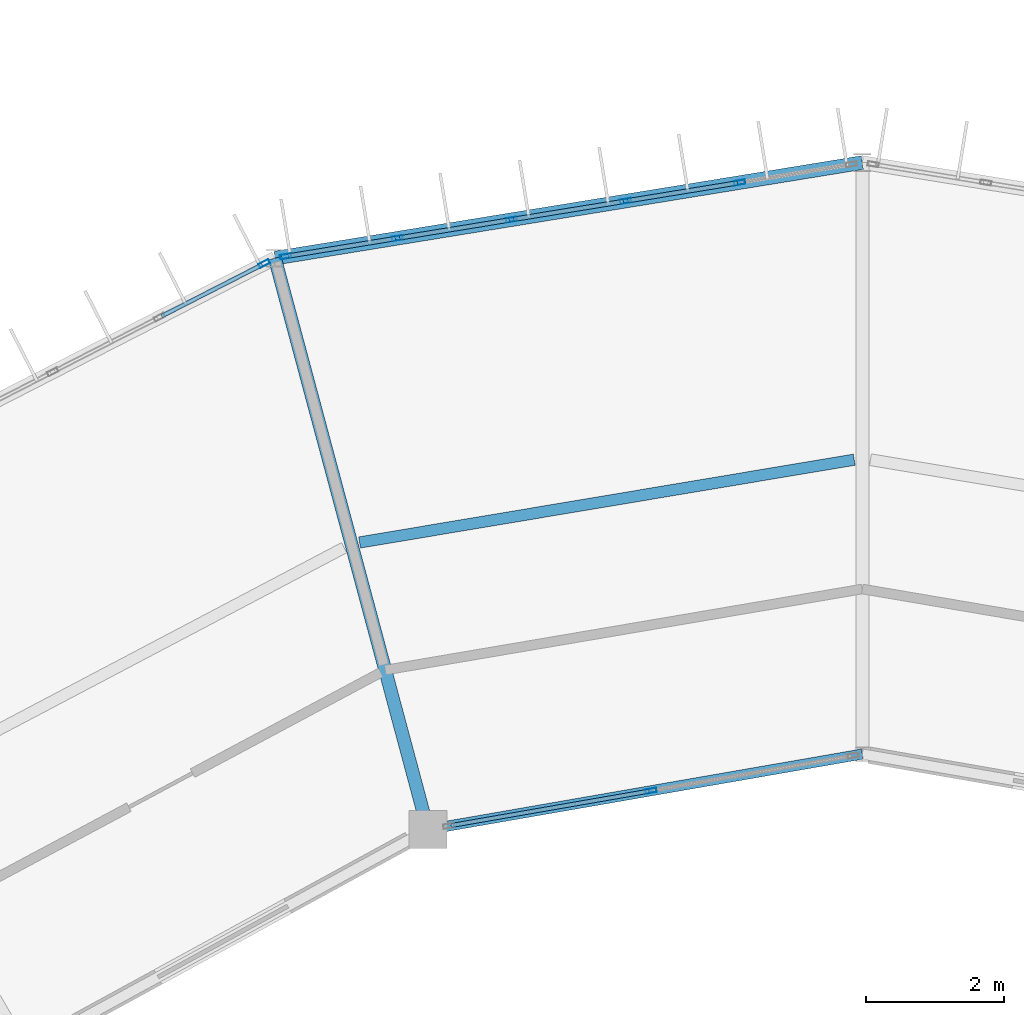
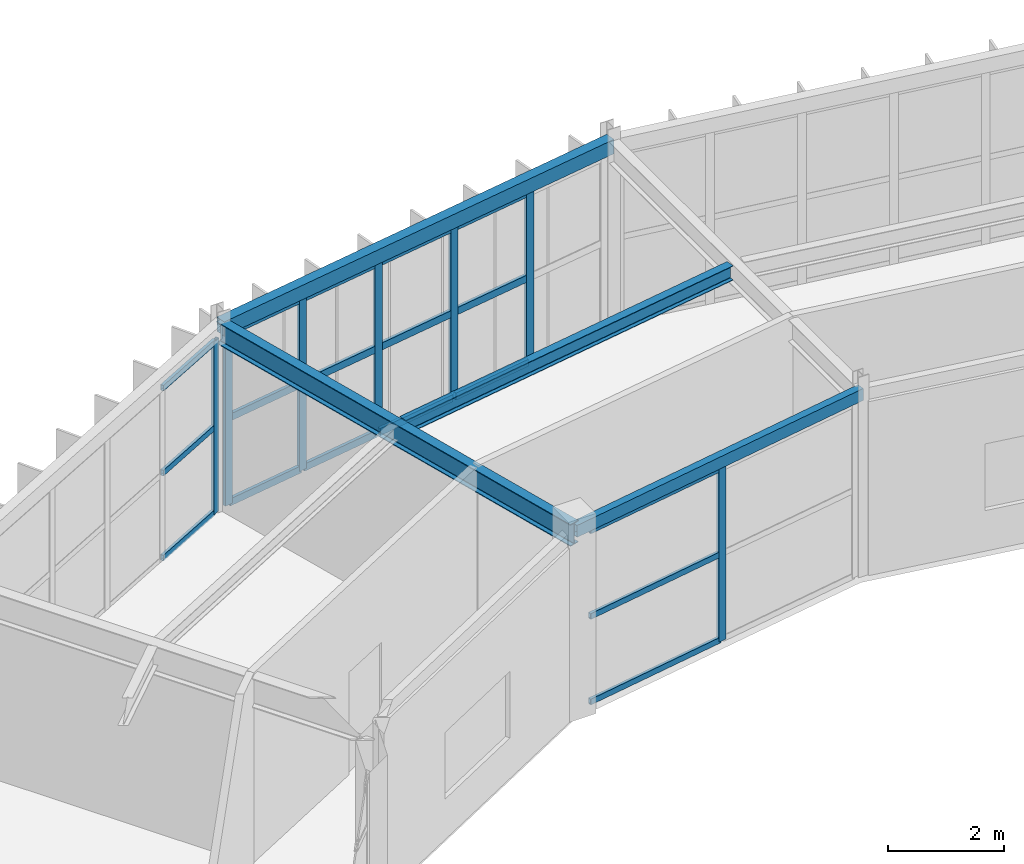
# One storey, part 91 of 157: 25 members, 4 beams, 3 elements without a shape of their own.
"""IFC4 building model written with IfcOpenShell, lengths in metres."""

from ifc_helpers import new_model, si_unit, direction, frame, origin, origin_2d, place, context, subcontext, project, spatial, hollow_rectangle, i_section, extrude, material, material_profile, profile_set, type_object, element, aggregate, save


model = new_model("IFC4")

# Units and contexts
model_context = context("Model", 3, precision=1e-05, world=origin(), true_north=direction((0.0, 1.0)))
body_context = subcontext(model_context, "Body", "Model", "MODEL_VIEW")
ifc_project = project(units=[si_unit("LENGTHUNIT", "METRE"), si_unit("AREAUNIT", "SQUARE_METRE"), si_unit("VOLUMEUNIT", "CUBIC_METRE"), si_unit("PLANEANGLEUNIT", "RADIAN"), si_unit("MASSUNIT", "GRAM", prefix="KILO")], contexts=[model_context])

# Site, building, storey
site_placement = place(None, origin())
site = spatial("IfcSite", under=ifc_project, at=site_placement, CompositionType="ELEMENT")
building_placement = place(site_placement, origin())
building = spatial("IfcBuilding", under=site, at=building_placement, Name="Karori Crest Natural Sciences Institute", CompositionType="ELEMENT")
storey_placement = place(building_placement, frame((0.0, 0.0, 13.300048828125)))
storey = spatial("IfcBuildingStorey", under=building, at=storey_placement, Name="L03", CompositionType="ELEMENT", Elevation=13.300048828125)

# Beams
ifc_material_1 = material(Name="Structural steel AS/NZS 3679.1 Grade 350", Category="steel")
ifc_material_profile_1 = material_profile(ifc_material_1, i_section(OverallWidth=0.19091796875, OverallDepth=0.4599609375, WebThickness=0.010009765625, FlangeThickness=0.01611328125, FilletRadius=0.010986328125, at=origin_2d()), Name="460UB82.1")
ifc_profile_set_1 = profile_set([ifc_material_profile_1], Name="Structural steel AS/NZS 3679.1 Grade 350")
beam_type_1 = type_object("IfcBeamType", Name="BT-06", PredefinedType="BEAM", material=ifc_profile_set_1)
beam_1_placement = place(storey_placement, frame((60.084716796875, 81.002685546875, 3.7099609375), z_axis=(-0.258812709002, 0.96592752402, 0.0), x_axis=(-0.96592752402, -0.258812709002, 0.0)))
element("IfcBeam", 1, at=beam_1_placement, inside=storey, type_object=beam_type_1, Name="Beam B-0389", PredefinedType="BEAM", context=body_context, shape_type="SweptSolid", body=[
    extrude(i_section(OverallWidth=0.19091796875, OverallDepth=0.4599609375, WebThickness=0.010009765625, FlangeThickness=0.01611328125, FilletRadius=0.010986328125, at=origin_2d()), origin(), (0.0, 0.0, 1.0), 8.60009765625),
])
ifc_material_profile_2 = material_profile(ifc_material_1, i_section(OverallWidth=0.1650390625, OverallDepth=0.303955078125, WebThickness=0.006103515625, FlangeThickness=0.01025390625, FilletRadius=0.010986328125, at=origin_2d()), Name="310UB40.4")
ifc_profile_set_2 = profile_set([ifc_material_profile_2], Name="Structural steel AS/NZS 3679.1 Grade 350")
beam_type_2 = type_object("IfcBeamType", Name="BT-10", PredefinedType="BEAM", material=ifc_profile_set_2)
beam_2_placement = place(storey_placement, frame((66.281494140625, 86.380126953125, 3.787841796875), z_axis=(-0.98626966223, -0.165142827164, 0.0), x_axis=(0.165142827164, -0.98626966223, 0.0)))
element("IfcBeam", 2, at=beam_2_placement, inside=storey, type_object=beam_type_2, Name="Beam B-0386", PredefinedType="BEAM", context=body_context, shape_type="SweptSolid", body=[
    extrude(i_section(OverallWidth=0.1650390625, OverallDepth=0.303955078125, WebThickness=0.006103515625, FlangeThickness=0.01025390625, FilletRadius=0.010986328125, at=origin_2d()), origin(), (0.0, 0.0, 1.0), 7.291259765625),
])
ifc_material_2 = material(Name="Hollow structural steel AS/NZS 1163 Grade C350", Category="steel")
ifc_material_profile_3 = material_profile(ifc_material_2, hollow_rectangle(XDim=0.199951171875, YDim=0.300048828125, WallThickness=0.010009765625, at=origin_2d()), Name="RHS300x200x10")
ifc_profile_set_3 = profile_set([ifc_material_profile_3], Name="Hollow structural steel AS/NZS 1163 Grade C350")
beam_type_3 = type_object("IfcBeamType", Name="BT-15", PredefinedType="SPANDREL", material=ifc_profile_set_3)
beam_3_placement = place(storey_placement, frame((66.39990234375, 90.699951171875, 3.7900390625), z_axis=(-0.987012055933, -0.160646199591, 0.0), x_axis=(0.160646199591, -0.987012055933, 0.0)))
element("IfcBeam", 3, at=beam_3_placement, inside=storey, type_object=beam_type_3, Name="Beam B-0383", PredefinedType="SPANDREL", context=body_context, shape_type="SweptSolid", body=[
    extrude(hollow_rectangle(XDim=0.199951171875, YDim=0.300048828125, WallThickness=0.010009765625, at=origin_2d()), origin(), (0.0, 0.0, 1.0), 8.6533203125),
])
ifc_material_profile_4 = material_profile(ifc_material_2, hollow_rectangle(XDim=0.14990234375, YDim=0.25, WallThickness=0.009033203125, at=origin_2d()), Name="RHS250x150x9")
ifc_profile_set_4 = profile_set([ifc_material_profile_4], Name="Hollow structural steel AS/NZS 1163 Grade C350")
beam_type_4 = type_object("IfcBeamType", Name="BT-16", PredefinedType="SPANDREL", material=ifc_profile_set_4)
beam_4_placement = place(storey_placement, frame((66.39990234375, 82.10009765625, 3.7900390625), z_axis=(-0.985234948316, -0.171207758638, 0.0), x_axis=(0.171207758638, -0.985234948316, 0.0)))
element("IfcBeam", 4, at=beam_4_placement, inside=storey, type_object=beam_type_4, Name="Beam B-0384", PredefinedType="SPANDREL", context=body_context, shape_type="SweptSolid", body=[
    extrude(hollow_rectangle(XDim=0.14990234375, YDim=0.25, WallThickness=0.009033203125, at=origin_2d()), origin(), (0.0, 0.0, 1.0), 6.409912109375),
])

# Curtain wall, members
ifc_material_3 = material(Name="Anodised architectural aluminium 6063-T6", Category="aluminium")
curtain_wall_type_1 = type_object("IfcCurtainWallType", Name="CWT-07", PredefinedType="NOTDEFINED", material=ifc_material_3)
curtain_wall_1_placement = place(storey_placement, origin())
curtain_wall_1 = element("IfcCurtainWall", 5, at=curtain_wall_1_placement, inside=storey, type_object=curtain_wall_type_1, Name="Curtain wall CW-0109", PredefinedType="NOTDEFINED")
ifc_material_profile_5 = material_profile(ifc_material_3, hollow_rectangle(XDim=0.06494140625, YDim=0.159912109375, WallThickness=0.00390625, at=origin_2d()), Name="CWM160x65x4")
ifc_profile_set_5 = profile_set([ifc_material_profile_5], Name="Anodised architectural aluminium 6063-T6")
member_type_1 = type_object("IfcMemberType", Name="CWM-01", PredefinedType="MULLION", material=ifc_profile_set_5)
member_1_placement = place(storey_placement, frame((58.01611328125, 89.33544921875, 0.0), z_axis=(0.0, 0.0, 1.0), x_axis=(-0.160650246484, 0.987011397252, 0.0)))
member_1 = element("IfcMember", 6, at=member_1_placement, type_object=member_type_1, Name="CW-0109 mullion 1", PredefinedType="MULLION", context=body_context, shape_type="SweptSolid", body=[
    extrude(hollow_rectangle(XDim=0.06494140625, YDim=0.159912109375, WallThickness=0.00390625, at=origin_2d()), origin(), (0.0, 0.0, 1.0), 3.625),
])
member_2_placement = place(storey_placement, frame((59.64208984375, 89.60009765625, 0.0), z_axis=(0.0, 0.0, 1.0), x_axis=(-0.160650246484, 0.987011397252, 0.0)))
member_2 = element("IfcMember", 7, at=member_2_placement, type_object=member_type_1, Name="CW-0109 mullion 2", PredefinedType="MULLION", context=body_context, shape_type="SweptSolid", body=[
    extrude(hollow_rectangle(XDim=0.06494140625, YDim=0.159912109375, WallThickness=0.00390625, at=origin_2d()), origin(), (0.0, 0.0, 1.0), 3.625),
])
member_3_placement = place(storey_placement, frame((61.300048828125, 89.869873046875, 0.0), z_axis=(0.0, 0.0, 1.0), x_axis=(-0.160650246484, 0.987011397252, 0.0)))
member_3 = element("IfcMember", 8, at=member_3_placement, type_object=member_type_1, Name="CW-0109 mullion 3", PredefinedType="MULLION", context=body_context, shape_type="SweptSolid", body=[
    extrude(hollow_rectangle(XDim=0.06494140625, YDim=0.159912109375, WallThickness=0.00390625, at=origin_2d()), origin(), (0.0, 0.0, 1.0), 3.625),
])
member_4_placement = place(storey_placement, frame((62.9580078125, 90.139892578125, 0.0), z_axis=(0.0, 0.0, 1.0), x_axis=(-0.160650246484, 0.987011397252, 0.0)))
member_4 = element("IfcMember", 9, at=member_4_placement, type_object=member_type_1, Name="CW-0109 mullion 4", PredefinedType="MULLION", context=body_context, shape_type="SweptSolid", body=[
    extrude(hollow_rectangle(XDim=0.06494140625, YDim=0.159912109375, WallThickness=0.00390625, at=origin_2d()), origin(), (0.0, 0.0, 1.0), 3.625),
])
member_5_placement = place(storey_placement, frame((64.615966796875, 90.40966796875, 0.0), z_axis=(0.0, 0.0, 1.0), x_axis=(-0.160650246484, 0.987011397252, 0.0)))
member_5 = element("IfcMember", 10, at=member_5_placement, type_object=member_type_1, Name="CW-0109 mullion 5", PredefinedType="MULLION", context=body_context, shape_type="SweptSolid", body=[
    extrude(hollow_rectangle(XDim=0.06494140625, YDim=0.159912109375, WallThickness=0.00390625, at=origin_2d()), origin(), (0.0, 0.0, 1.0), 3.625),
])

# Curtain wall, member
curtain_wall_type_2 = type_object("IfcCurtainWallType", Name="CWT-12", PredefinedType="NOTDEFINED", material=ifc_material_3)
curtain_wall_2_placement = place(storey_placement, origin())
curtain_wall_2 = element("IfcCurtainWall", 11, at=curtain_wall_2_placement, inside=storey, type_object=curtain_wall_type_2, Name="Curtain wall CW-0110", PredefinedType="NOTDEFINED")
member_6_placement = place(storey_placement, frame((63.32861328125, 81.56640625, 0.0), z_axis=(0.0, 0.0, 1.0), x_axis=(0.171173924291, -0.985240827231, 0.0)))
member_6 = element("IfcMember", 12, at=member_6_placement, type_object=member_type_1, Name="CW-0110 mullion 2", PredefinedType="MULLION", context=body_context, shape_type="SweptSolid", body=[
    extrude(hollow_rectangle(XDim=0.06494140625, YDim=0.159912109375, WallThickness=0.00390625, at=origin_2d()), origin(), (0.0, 0.0, 1.0), 3.64990234375),
])

curtain_wall_type_3 = type_object("IfcCurtainWallType", Name="CWT-08", PredefinedType="NOTDEFINED", material=ifc_material_3)
curtain_wall_3_placement = place(storey_placement, origin())
curtain_wall_3 = element("IfcCurtainWall", 13, at=curtain_wall_3_placement, inside=storey, type_object=curtain_wall_type_3, Name="Curtain wall CW-0111", PredefinedType="NOTDEFINED")
member_7_placement = place(storey_placement, frame((57.704833984375, 89.23095703125, 0.0), z_axis=(0.0, 0.0, 1.0), x_axis=(-0.455828878252, 0.890067432138, 0.0)))
member_7 = element("IfcMember", 14, at=member_7_placement, type_object=member_type_1, Name="CW-0111 mullion 6", PredefinedType="MULLION", context=body_context, shape_type="SweptSolid", body=[
    extrude(hollow_rectangle(XDim=0.06494140625, YDim=0.159912109375, WallThickness=0.00390625, at=origin_2d()), origin(), (0.0, 0.0, 1.0), 3.625),
])

# Member
ifc_material_profile_6 = material_profile(ifc_material_3, hollow_rectangle(XDim=0.06005859375, YDim=0.1201171875, WallThickness=0.00390625, at=origin_2d()), Name="CWT120x60x4")
ifc_profile_set_6 = profile_set([ifc_material_profile_6], Name="Anodised architectural aluminium 6063-T6")
member_type_2 = type_object("IfcMemberType", Name="CWT-TR1", PredefinedType="USERDEFINED", material=ifc_profile_set_6)
member_8_placement = place(storey_placement, frame((63.296630859375, 81.560791015625, 0.030029296875), z_axis=(-0.98523753612, -0.171192866149, 0.0), x_axis=(0.171192866149, -0.98523753612, 0.0)))
member_8 = element("IfcMember", 15, at=member_8_placement, type_object=member_type_2, Name="CW-0110 transom 2.1", ObjectType="TRANSOM", PredefinedType="USERDEFINED", context=body_context, shape_type="SweptSolid", body=[
    extrude(hollow_rectangle(XDim=0.06005859375, YDim=0.1201171875, WallThickness=0.00390625, at=origin_2d()), origin(), (0.0, 0.0, 1.0), 2.917724609375),
])

member_9_placement = place(storey_placement, frame((63.296630859375, 81.560791015625, 1.824951171875), z_axis=(-0.98523753612, -0.171192866149, 0.0), x_axis=(0.171192866149, -0.98523753612, 0.0)))
member_9 = element("IfcMember", 16, at=member_9_placement, type_object=member_type_2, Name="CW-0110 transom 2.2", ObjectType="TRANSOM", PredefinedType="USERDEFINED", context=body_context, shape_type="SweptSolid", body=[
    extrude(hollow_rectangle(XDim=0.06005859375, YDim=0.1201171875, WallThickness=0.00390625, at=origin_2d()), origin(), (0.0, 0.0, 1.0), 2.917724609375),
])

member_10_placement = place(storey_placement, frame((63.296630859375, 81.560791015625, 3.619873046875), z_axis=(-0.98523753612, -0.171192866149, 0.0), x_axis=(0.171192866149, -0.98523753612, 0.0)))
member_10 = element("IfcMember", 17, at=member_10_placement, type_object=member_type_2, Name="CW-0110 transom 2.3", ObjectType="TRANSOM", PredefinedType="USERDEFINED", context=body_context, shape_type="SweptSolid", body=[
    extrude(hollow_rectangle(XDim=0.06005859375, YDim=0.1201171875, WallThickness=0.00390625, at=origin_2d()), origin(), (0.0, 0.0, 1.0), 2.917724609375),
])

aggregate(curtain_wall_2, [member_6, member_8, member_9, member_10])

member_11_placement = place(storey_placement, frame((56.2109375, 88.4658203125, 0.030029296875), z_axis=(0.890084461025, 0.455795625518, 0.0), x_axis=(-0.455795625518, 0.890084461025, 0.0)))
member_11 = element("IfcMember", 18, at=member_11_placement, type_object=member_type_2, Name="CW-0111 transom 5.1", ObjectType="TRANSOM", PredefinedType="USERDEFINED", context=body_context, shape_type="SweptSolid", body=[
    extrude(hollow_rectangle(XDim=0.06005859375, YDim=0.1201171875, WallThickness=0.00390625, at=origin_2d()), origin(), (0.0, 0.0, 1.0), 1.64599609375),
])

member_12_placement = place(storey_placement, frame((56.2109375, 88.4658203125, 1.8125), z_axis=(0.890084461025, 0.455795625518, 0.0), x_axis=(-0.455795625518, 0.890084461025, 0.0)))
member_12 = element("IfcMember", 19, at=member_12_placement, type_object=member_type_2, Name="CW-0111 transom 5.2", ObjectType="TRANSOM", PredefinedType="USERDEFINED", context=body_context, shape_type="SweptSolid", body=[
    extrude(hollow_rectangle(XDim=0.06005859375, YDim=0.1201171875, WallThickness=0.00390625, at=origin_2d()), origin(), (0.0, 0.0, 1.0), 1.64599609375),
])

member_13_placement = place(storey_placement, frame((56.2109375, 88.4658203125, 3.594970703125), z_axis=(0.890084461025, 0.455795625518, 0.0), x_axis=(-0.455795625518, 0.890084461025, 0.0)))
member_13 = element("IfcMember", 20, at=member_13_placement, type_object=member_type_2, Name="CW-0111 transom 5.3", ObjectType="TRANSOM", PredefinedType="USERDEFINED", context=body_context, shape_type="SweptSolid", body=[
    extrude(hollow_rectangle(XDim=0.06005859375, YDim=0.1201171875, WallThickness=0.00390625, at=origin_2d()), origin(), (0.0, 0.0, 1.0), 1.64599609375),
])

aggregate(curtain_wall_3, [member_7, member_11, member_12, member_13])

ifc_material_profile_7 = material_profile(ifc_material_3, hollow_rectangle(XDim=0.06494140625, YDim=0.14990234375, WallThickness=0.00390625, at=origin_2d()), Name="CWT150x65x4")
ifc_profile_set_7 = profile_set([ifc_material_profile_7], Name="Anodised architectural aluminium 6063-T6")
member_type_3 = type_object("IfcMemberType", Name="CWT-TR2", PredefinedType="USERDEFINED", material=ifc_profile_set_7)
member_14_placement = place(storey_placement, frame((58.04833984375, 89.340576171875, 0.032470703125), z_axis=(0.987016373134, 0.160619672414, 0.0), x_axis=(-0.160619672414, 0.987016373134, 0.0)))
member_14 = element("IfcMember", 21, at=member_14_placement, type_object=member_type_3, Name="CW-0109 transom 1.1", ObjectType="TRANSOM", PredefinedType="USERDEFINED", context=body_context, shape_type="SweptSolid", body=[
    extrude(hollow_rectangle(XDim=0.06494140625, YDim=0.14990234375, WallThickness=0.00390625, at=origin_2d()), origin(), (0.0, 0.0, 1.0), 1.582275390625),
])

member_15_placement = place(storey_placement, frame((58.04833984375, 89.340576171875, 1.8125), z_axis=(0.987016373134, 0.160619672414, 0.0), x_axis=(-0.160619672414, 0.987016373134, 0.0)))
member_15 = element("IfcMember", 22, at=member_15_placement, type_object=member_type_3, Name="CW-0109 transom 1.2", ObjectType="TRANSOM", PredefinedType="USERDEFINED", context=body_context, shape_type="SweptSolid", body=[
    extrude(hollow_rectangle(XDim=0.06494140625, YDim=0.14990234375, WallThickness=0.00390625, at=origin_2d()), origin(), (0.0, 0.0, 1.0), 1.582275390625),
])

member_16_placement = place(storey_placement, frame((58.04833984375, 89.340576171875, 3.592529296875), z_axis=(0.987016373134, 0.160619672414, 0.0), x_axis=(-0.160619672414, 0.987016373134, 0.0)))
member_16 = element("IfcMember", 23, at=member_16_placement, type_object=member_type_3, Name="CW-0109 transom 1.3", ObjectType="TRANSOM", PredefinedType="USERDEFINED", context=body_context, shape_type="SweptSolid", body=[
    extrude(hollow_rectangle(XDim=0.06494140625, YDim=0.14990234375, WallThickness=0.00390625, at=origin_2d()), origin(), (0.0, 0.0, 1.0), 1.582275390625),
])

member_17_placement = place(storey_placement, frame((59.674072265625, 89.605224609375, 0.032470703125), z_axis=(0.987003924492, 0.160696151284, 0.0), x_axis=(-0.160696151284, 0.987003924492, 0.0)))
member_17 = element("IfcMember", 24, at=member_17_placement, type_object=member_type_3, Name="CW-0109 transom 2.1", ObjectType="TRANSOM", PredefinedType="USERDEFINED", context=body_context, shape_type="SweptSolid", body=[
    extrude(hollow_rectangle(XDim=0.06494140625, YDim=0.14990234375, WallThickness=0.00390625, at=origin_2d()), origin(), (0.0, 0.0, 1.0), 1.614990234375),
])

member_18_placement = place(storey_placement, frame((59.674072265625, 89.605224609375, 1.8125), z_axis=(0.987003924492, 0.160696151284, 0.0), x_axis=(-0.160696151284, 0.987003924492, 0.0)))
member_18 = element("IfcMember", 25, at=member_18_placement, type_object=member_type_3, Name="CW-0109 transom 2.2", ObjectType="TRANSOM", PredefinedType="USERDEFINED", context=body_context, shape_type="SweptSolid", body=[
    extrude(hollow_rectangle(XDim=0.06494140625, YDim=0.14990234375, WallThickness=0.00390625, at=origin_2d()), origin(), (0.0, 0.0, 1.0), 1.614990234375),
])

member_19_placement = place(storey_placement, frame((59.674072265625, 89.605224609375, 3.592529296875), z_axis=(0.987003924492, 0.160696151284, 0.0), x_axis=(-0.160696151284, 0.987003924492, 0.0)))
member_19 = element("IfcMember", 26, at=member_19_placement, type_object=member_type_3, Name="CW-0109 transom 2.3", ObjectType="TRANSOM", PredefinedType="USERDEFINED", context=body_context, shape_type="SweptSolid", body=[
    extrude(hollow_rectangle(XDim=0.06494140625, YDim=0.14990234375, WallThickness=0.00390625, at=origin_2d()), origin(), (0.0, 0.0, 1.0), 1.614990234375),
])

member_20_placement = place(storey_placement, frame((61.33203125, 89.875244140625, 0.032470703125), z_axis=(0.987027891182, 0.160548877383, 0.0), x_axis=(-0.160548877383, 0.987027891182, 0.0)))
member_20 = element("IfcMember", 27, at=member_20_placement, type_object=member_type_3, Name="CW-0109 transom 3.1", ObjectType="TRANSOM", PredefinedType="USERDEFINED", context=body_context, shape_type="SweptSolid", body=[
    extrude(hollow_rectangle(XDim=0.06494140625, YDim=0.14990234375, WallThickness=0.00390625, at=origin_2d()), origin(), (0.0, 0.0, 1.0), 1.614990234375),
])

member_21_placement = place(storey_placement, frame((61.33203125, 89.875244140625, 1.8125), z_axis=(0.987027891182, 0.160548877383, 0.0), x_axis=(-0.160548877383, 0.987027891182, 0.0)))
member_21 = element("IfcMember", 28, at=member_21_placement, type_object=member_type_3, Name="CW-0109 transom 3.2", ObjectType="TRANSOM", PredefinedType="USERDEFINED", context=body_context, shape_type="SweptSolid", body=[
    extrude(hollow_rectangle(XDim=0.06494140625, YDim=0.14990234375, WallThickness=0.00390625, at=origin_2d()), origin(), (0.0, 0.0, 1.0), 1.614990234375),
])

member_22_placement = place(storey_placement, frame((61.33203125, 89.875244140625, 3.592529296875), z_axis=(0.987027891182, 0.160548877383, 0.0), x_axis=(-0.160548877383, 0.987027891182, 0.0)))
member_22 = element("IfcMember", 29, at=member_22_placement, type_object=member_type_3, Name="CW-0109 transom 3.3", ObjectType="TRANSOM", PredefinedType="USERDEFINED", context=body_context, shape_type="SweptSolid", body=[
    extrude(hollow_rectangle(XDim=0.06494140625, YDim=0.14990234375, WallThickness=0.00390625, at=origin_2d()), origin(), (0.0, 0.0, 1.0), 1.614990234375),
])

member_23_placement = place(storey_placement, frame((62.990234375, 90.14501953125, 0.032470703125), z_axis=(0.987023993607, 0.160572837195, 0.0), x_axis=(-0.160572837195, 0.987023993607, 0.0)))
member_23 = element("IfcMember", 30, at=member_23_placement, type_object=member_type_3, Name="CW-0109 transom 4.1", ObjectType="TRANSOM", PredefinedType="USERDEFINED", context=body_context, shape_type="SweptSolid", body=[
    extrude(hollow_rectangle(XDim=0.06494140625, YDim=0.14990234375, WallThickness=0.00390625, at=origin_2d()), origin(), (0.0, 0.0, 1.0), 1.61474609375),
])

member_24_placement = place(storey_placement, frame((62.990234375, 90.14501953125, 1.8125), z_axis=(0.987023993607, 0.160572837195, 0.0), x_axis=(-0.160572837195, 0.987023993607, 0.0)))
member_24 = element("IfcMember", 31, at=member_24_placement, type_object=member_type_3, Name="CW-0109 transom 4.2", ObjectType="TRANSOM", PredefinedType="USERDEFINED", context=body_context, shape_type="SweptSolid", body=[
    extrude(hollow_rectangle(XDim=0.06494140625, YDim=0.14990234375, WallThickness=0.00390625, at=origin_2d()), origin(), (0.0, 0.0, 1.0), 1.61474609375),
])

member_25_placement = place(storey_placement, frame((62.990234375, 90.14501953125, 3.592529296875), z_axis=(0.987023993607, 0.160572837195, 0.0), x_axis=(-0.160572837195, 0.987023993607, 0.0)))
member_25 = element("IfcMember", 32, at=member_25_placement, type_object=member_type_3, Name="CW-0109 transom 4.3", ObjectType="TRANSOM", PredefinedType="USERDEFINED", context=body_context, shape_type="SweptSolid", body=[
    extrude(hollow_rectangle(XDim=0.06494140625, YDim=0.14990234375, WallThickness=0.00390625, at=origin_2d()), origin(), (0.0, 0.0, 1.0), 1.61474609375),
])

aggregate(curtain_wall_1, [member_1, member_2, member_3, member_4, member_5, member_14, member_15, member_16, member_17, member_18, member_19, member_20, member_21, member_22, member_23, member_24, member_25])

save(model, "model.ifc")
